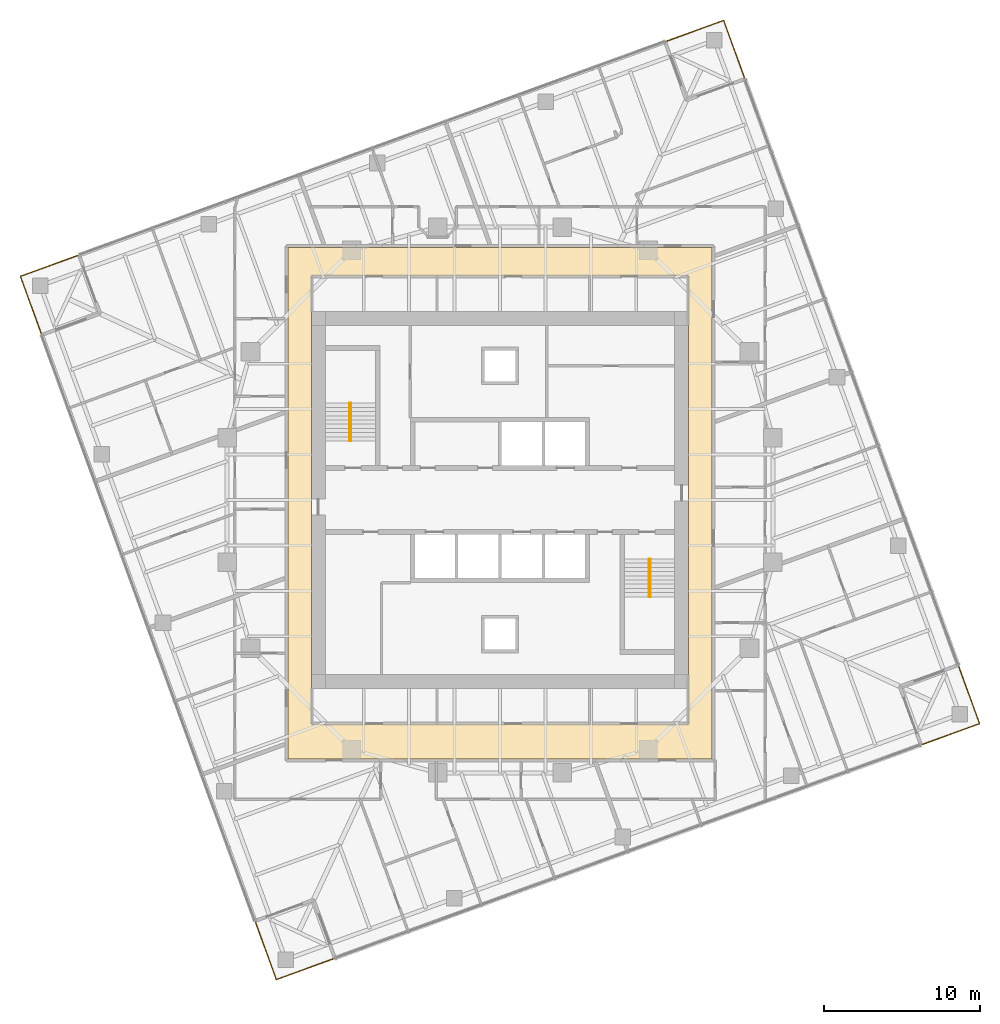
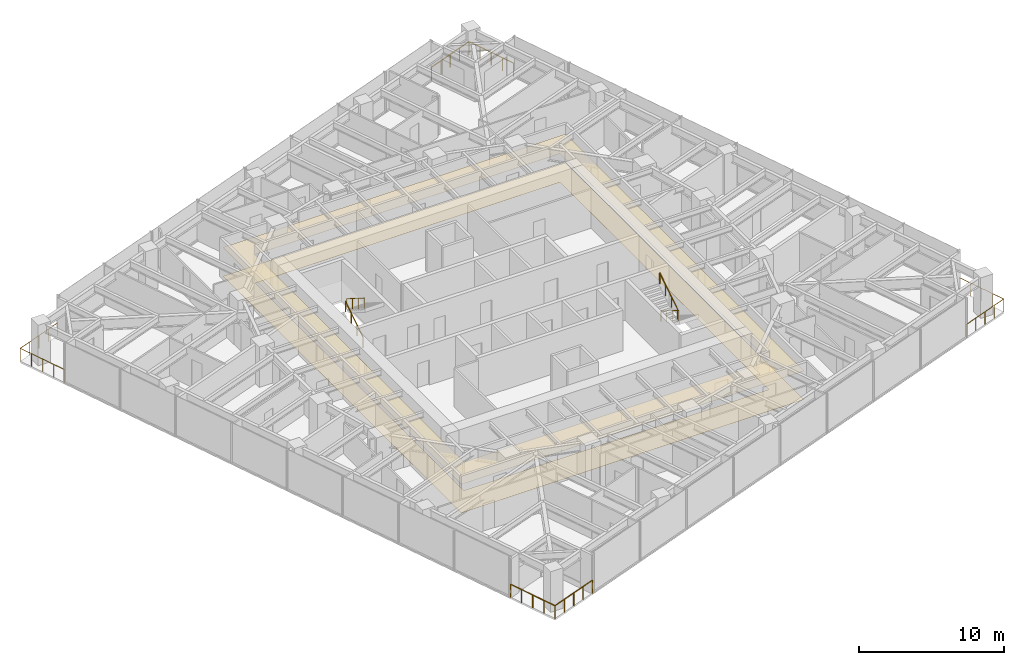
# One storey, part 13 of 13: 8 railings, 2 coverings, 2 elements without a shape of their own.
"""IFC4 building model written with IfcOpenShell, lengths in metres."""

from ifc_helpers import new_model, si_unit, direction, frame, origin, origin_2d, place, context, subcontext, project, spatial, polyline, circle, outline, extrude, material, layer, layer_set, type_object, element, aggregate, save


model = new_model("IFC4")

# Units and contexts
model_context = context("Model", 3, precision=1e-05, world=origin(), true_north=direction((0.0, 1.0)))
body_context = subcontext(model_context, "Body", "Model", "MODEL_VIEW")
ifc_project = project(units=[si_unit("LENGTHUNIT", "METRE"), si_unit("AREAUNIT", "SQUARE_METRE"), si_unit("VOLUMEUNIT", "CUBIC_METRE"), si_unit("PLANEANGLEUNIT", "RADIAN"), si_unit("MASSUNIT", "GRAM", prefix="KILO")], contexts=[model_context])

# Site, building, storey
site_placement = place(None, origin())
site = spatial("IfcSite", under=ifc_project, at=site_placement, CompositionType="ELEMENT")
building_placement = place(site_placement, origin())
building = spatial("IfcBuilding", under=site, at=building_placement, Name="Torsade Residences", CompositionType="ELEMENT")
storey_placement = place(building_placement, frame((0.0, 0.0, 147.199951171875)))
storey = spatial("IfcBuildingStorey", under=building, at=storey_placement, Name="L40", CompositionType="ELEMENT", Elevation=147.199951171875)

# Coverings
ifc_material_1 = material(Name="Nylon carpet tile on underlay", Category="textile")
ifc_layer_1 = layer(ifc_material_1, 0.010009765625)
ifc_layer_set_1 = layer_set([ifc_layer_1], Name="Nylon carpet tile on underlay")
covering_type_1 = type_object("IfcCoveringType", Name="CORRIDOR CARPET TILE 10", PredefinedType="FLOORING", material=ifc_layer_set_1)
covering_1_placement = place(storey_placement, origin())
element("IfcCovering", 1, at=covering_1_placement, inside=storey, type_object=covering_type_1, Name="Corridor carpet L40", PredefinedType="FLOORING", context=body_context, shape_type="SweptSolid", body=[
    extrude(outline(polyline([(26.39990234375, 46.199951171875), (26.39990234375, 13.39990234375), (53.60009765625, 13.39990234375), (53.60009765625, 46.199951171875), (26.39990234375, 46.199951171875)]), holes=[polyline([(52.10009765625, 44.35009765625), (27.89990234375, 44.35009765625), (27.89990234375, 15.64990234375), (52.10009765625, 15.64990234375), (52.10009765625, 44.35009765625)])]), origin(), (0.0, 0.0, 1.0), 0.010009765625),
])
ifc_material_2 = material(Name="Plasterboard on suspended steel grid", Category="steel")
ifc_layer_2 = layer(ifc_material_2, 0.012939453125)
ifc_layer_set_2 = layer_set([ifc_layer_2], Name="Plasterboard on suspended steel grid")
covering_type_2 = type_object("IfcCoveringType", Name="CORRIDOR SUSPENDED CEILING 13", PredefinedType="CEILING", material=ifc_layer_set_2)
covering_2_placement = place(storey_placement, frame((0.0, 0.0, 2.400146484375)))
element("IfcCovering", 2, at=covering_2_placement, inside=storey, type_object=covering_type_2, Name="Corridor ceiling L40", PredefinedType="CEILING", context=body_context, shape_type="SweptSolid", body=[
    extrude(outline(polyline([(26.39990234375, 46.199951171875), (26.39990234375, 13.39990234375), (53.60009765625, 13.39990234375), (53.60009765625, 46.199951171875), (26.39990234375, 46.199951171875)]), holes=[polyline([(52.10009765625, 44.35009765625), (27.89990234375, 44.35009765625), (27.89990234375, 15.64990234375), (52.10009765625, 15.64990234375), (52.10009765625, 44.35009765625)])]), origin(), (0.0, 0.0, 1.0), 0.012939453125),
])

# Stair, railings
ifc_material_3 = material(Name="Precast concrete 40 MPa", Category="concrete")
stair_type = type_object("IfcStairType", Name="HALF-TURN FIRE STAIR 1500x3400", PredefinedType="HALF_TURN_STAIR", material=ifc_material_3)
stair_1_placement = place(storey_placement, origin())
stair_1 = element("IfcStair", 3, at=stair_1_placement, inside=storey, type_object=stair_type, Name="Stair ST1 L40", PredefinedType="HALF_TURN_STAIR")
ifc_material_4 = material(Name="Steel handrail", Category="steel")
railing_type_1 = type_object("IfcRailingType", Name="STAIR HANDRAIL 900", PredefinedType="HANDRAIL", material=ifc_material_4)
railing_1_placement = place(storey_placement, frame((30.35009765625, 33.780029296875, 0.170166015625)))
railing_1 = element("IfcRailing", 4, at=railing_1_placement, type_object=railing_type_1, Name="Handrail ST1 flight 1 L40", PredefinedType="HANDRAIL", context=body_context, shape_type="SweptSolid", body=[
    extrude(circle(Radius=0.02392578125, at=origin_2d()), frame((0.0, 0.0, 0.8759765625), z_axis=(0.0, 0.846259816676, 0.532770422113), x_axis=(-1.0, 0.0, 0.0)), (0.0, 0.0, 1.0), 2.871337890625),
    extrude(circle(Radius=0.02099609375, at=origin_2d()), origin(), (0.0, 0.0, 1.0), 0.851806640625),
    extrude(circle(Radius=0.02099609375, at=origin_2d()), frame((0.0, 0.81005859375, 0.510009765625)), (0.0, 0.0, 1.0), 0.851806640625),
    extrude(circle(Radius=0.02099609375, at=origin_2d()), frame((0.0, 1.619873046875, 1.019775390625)), (0.0, 0.0, 1.0), 0.851806640625),
    extrude(circle(Radius=0.02099609375, at=origin_2d()), frame((0.0, 2.429931640625, 1.52978515625)), (0.0, 0.0, 1.0), 0.851806640625),
])
railing_2_placement = place(storey_placement, frame((30.449951171875, 36.2099609375, 1.8701171875)))
railing_2 = element("IfcRailing", 5, at=railing_2_placement, type_object=railing_type_1, Name="Handrail ST1 flight 2 L40", PredefinedType="HANDRAIL", context=body_context, shape_type="SweptSolid", body=[
    extrude(circle(Radius=0.02392578125, at=origin_2d()), frame((0.0, 0.0, 0.8759765625), z_axis=(0.0, -0.846221481393, 0.532831309544), x_axis=(1.0, 0.0, 0.0)), (0.0, 0.0, 1.0), 2.87158203125),
    extrude(circle(Radius=0.02099609375, at=origin_2d()), origin(), (0.0, 0.0, 1.0), 0.851806640625),
    extrude(circle(Radius=0.02099609375, at=origin_2d()), frame((0.0, -0.81005859375, 0.510009765625)), (0.0, 0.0, 1.0), 0.851806640625),
    extrude(circle(Radius=0.02099609375, at=origin_2d()), frame((0.0, -1.619873046875, 1.02001953125)), (0.0, 0.0, 1.0), 0.851806640625),
    extrude(circle(Radius=0.02099609375, at=origin_2d()), frame((0.0, -2.429931640625, 1.530029296875)), (0.0, 0.0, 1.0), 0.851806640625),
])
aggregate(stair_1, [railing_1, railing_2])

stair_2_placement = place(storey_placement, origin())
stair_2 = element("IfcStair", 6, at=stair_2_placement, inside=storey, type_object=stair_type, Name="Stair ST2 L40", PredefinedType="HALF_TURN_STAIR")
railing_3_placement = place(storey_placement, frame((49.64990234375, 26.219970703125, 0.170166015625)))
railing_3 = element("IfcRailing", 7, at=railing_3_placement, type_object=railing_type_1, Name="Handrail ST2 flight 1 L40", PredefinedType="HANDRAIL", context=body_context, shape_type="SweptSolid", body=[
    extrude(circle(Radius=0.02392578125, at=origin_2d()), frame((0.0, 0.0, 0.8759765625), z_axis=(0.0, -0.846259816676, 0.532770422113), x_axis=(1.0, 0.0, 0.0)), (0.0, 0.0, 1.0), 2.871337890625),
    extrude(circle(Radius=0.02099609375, at=origin_2d()), origin(), (0.0, 0.0, 1.0), 0.851806640625),
    extrude(circle(Radius=0.02099609375, at=origin_2d()), frame((0.0, -0.81005859375, 0.510009765625)), (0.0, 0.0, 1.0), 0.851806640625),
    extrude(circle(Radius=0.02099609375, at=origin_2d()), frame((0.0, -1.619873046875, 1.019775390625)), (0.0, 0.0, 1.0), 0.851806640625),
    extrude(circle(Radius=0.02099609375, at=origin_2d()), frame((0.0, -2.429931640625, 1.52978515625)), (0.0, 0.0, 1.0), 0.851806640625),
])
railing_4_placement = place(storey_placement, frame((49.550048828125, 23.7900390625, 1.8701171875)))
railing_4 = element("IfcRailing", 8, at=railing_4_placement, type_object=railing_type_1, Name="Handrail ST2 flight 2 L40", PredefinedType="HANDRAIL", context=body_context, shape_type="SweptSolid", body=[
    extrude(circle(Radius=0.02392578125, at=origin_2d()), frame((0.0, 0.0, 0.8759765625), z_axis=(0.0, 0.846221481393, 0.532831309544), x_axis=(-1.0, 0.0, 0.0)), (0.0, 0.0, 1.0), 2.87158203125),
    extrude(circle(Radius=0.02099609375, at=origin_2d()), origin(), (0.0, 0.0, 1.0), 0.851806640625),
    extrude(circle(Radius=0.02099609375, at=origin_2d()), frame((0.0, 0.81005859375, 0.510009765625)), (0.0, 0.0, 1.0), 0.851806640625),
    extrude(circle(Radius=0.02099609375, at=origin_2d()), frame((0.0, 1.619873046875, 1.02001953125)), (0.0, 0.0, 1.0), 0.851806640625),
    extrude(circle(Radius=0.02099609375, at=origin_2d()), frame((0.0, 2.429931640625, 1.530029296875)), (0.0, 0.0, 1.0), 0.851806640625),
])
aggregate(stair_2, [railing_3, railing_4])

# Railings
ifc_material_5 = material(Name="Laminated glass balustrade", Category="glass")
railing_type_2 = type_object("IfcRailingType", Name="TERRACE GLASS BALUSTRADE 1100", PredefinedType="BALUSTRADE", material=ifc_material_5)
railing_5_placement = place(storey_placement, frame((67.00244140625, 14.287841796875, 0.0)))
element("IfcRailing", 9, at=railing_5_placement, inside=storey, type_object=railing_type_2, Name="Terrace balustrade SE L40", PredefinedType="BALUSTRADE", context=body_context, shape_type="SweptSolid", body=[
    extrude(circle(Radius=0.02392578125, at=origin_2d()), frame((0.0, 0.0, 1.076171875), z_axis=(0.939698932726, 0.342002800914, 0.0), x_axis=(-0.342002800914, 0.939698932726, 0.0)), (0.0, 0.0, 1.0), 3.999755859375),
    extrude(circle(Radius=0.02392578125, at=origin_2d()), frame((3.758544921875, 1.367919921875, 1.076171875), z_axis=(-0.341983185197, 0.939706071622, 0.0), x_axis=(-0.939706071622, -0.341983185197, 0.0)), (0.0, 0.0, 1.0), 4.0),
    extrude(circle(Radius=0.02099609375, at=origin_2d()), origin(), (0.0, 0.0, 1.0), 1.052001953125),
    extrude(circle(Radius=0.02099609375, at=origin_2d()), frame((0.939697265625, 0.342041015625, 0.0)), (0.0, 0.0, 1.0), 1.052001953125),
    extrude(circle(Radius=0.02099609375, at=origin_2d()), frame((1.87939453125, 0.68408203125, 0.0)), (0.0, 0.0, 1.0), 1.052001953125),
    extrude(circle(Radius=0.02099609375, at=origin_2d()), frame((2.81884765625, 1.02587890625, 0.0)), (0.0, 0.0, 1.0), 1.052001953125),
    extrude(circle(Radius=0.02099609375, at=origin_2d()), frame((3.758544921875, 1.367919921875, 0.0)), (0.0, 0.0, 1.0), 1.052001953125),
    extrude(circle(Radius=0.02099609375, at=origin_2d()), frame((3.41650390625, 2.3076171875, 0.0)), (0.0, 0.0, 1.0), 1.052001953125),
    extrude(circle(Radius=0.02099609375, at=origin_2d()), frame((3.07470703125, 3.247314453125, 0.0)), (0.0, 0.0, 1.0), 1.052001953125),
    extrude(circle(Radius=0.02099609375, at=origin_2d()), frame((2.732666015625, 4.18701171875, 0.0)), (0.0, 0.0, 1.0), 1.052001953125),
    extrude(circle(Radius=0.02099609375, at=origin_2d()), frame((2.390625, 5.126708984375, 0.0)), (0.0, 0.0, 1.0), 1.052001953125),
])
railing_6_placement = place(storey_placement, frame((55.712158203125, 57.00244140625, 0.0)))
element("IfcRailing", 10, at=railing_6_placement, inside=storey, type_object=railing_type_2, Name="Terrace balustrade NE L40", PredefinedType="BALUSTRADE", context=body_context, shape_type="SweptSolid", body=[
    extrude(circle(Radius=0.02392578125, at=origin_2d()), frame((0.0, 0.0, 1.076171875), z_axis=(-0.342002800914, 0.939698932726, 0.0), x_axis=(-0.939698932726, -0.342002800914, 0.0)), (0.0, 0.0, 1.0), 3.999755859375),
    extrude(circle(Radius=0.02392578125, at=origin_2d()), frame((-1.367919921875, 3.758544921875, 1.076171875), z_axis=(-0.939706071622, -0.341983185197, 0.0), x_axis=(0.341983185197, -0.939706071622, 0.0)), (0.0, 0.0, 1.0), 4.0),
    extrude(circle(Radius=0.02099609375, at=origin_2d()), origin(), (0.0, 0.0, 1.0), 1.052001953125),
    extrude(circle(Radius=0.02099609375, at=origin_2d()), frame((-0.342041015625, 0.939697265625, 0.0)), (0.0, 0.0, 1.0), 1.052001953125),
    extrude(circle(Radius=0.02099609375, at=origin_2d()), frame((-0.68408203125, 1.87939453125, 0.0)), (0.0, 0.0, 1.0), 1.052001953125),
    extrude(circle(Radius=0.02099609375, at=origin_2d()), frame((-1.02587890625, 2.81884765625, 0.0)), (0.0, 0.0, 1.0), 1.052001953125),
    extrude(circle(Radius=0.02099609375, at=origin_2d()), frame((-1.367919921875, 3.758544921875, 0.0)), (0.0, 0.0, 1.0), 1.052001953125),
    extrude(circle(Radius=0.02099609375, at=origin_2d()), frame((-2.3076171875, 3.41650390625, 0.0)), (0.0, 0.0, 1.0), 1.052001953125),
    extrude(circle(Radius=0.02099609375, at=origin_2d()), frame((-3.247314453125, 3.07470703125, 0.0)), (0.0, 0.0, 1.0), 1.052001953125),
    extrude(circle(Radius=0.02099609375, at=origin_2d()), frame((-4.18701171875, 2.732666015625, 0.0)), (0.0, 0.0, 1.0), 1.052001953125),
    extrude(circle(Radius=0.02099609375, at=origin_2d()), frame((-5.126708984375, 2.390625, 0.0)), (0.0, 0.0, 1.0), 1.052001953125),
])
railing_7_placement = place(storey_placement, frame((12.99755859375, 45.712158203125, 0.0)))
element("IfcRailing", 11, at=railing_7_placement, inside=storey, type_object=railing_type_2, Name="Terrace balustrade NW L40", PredefinedType="BALUSTRADE", context=body_context, shape_type="SweptSolid", body=[
    extrude(circle(Radius=0.02392578125, at=origin_2d()), frame((0.0, 0.0, 1.076171875), z_axis=(-0.939698932726, -0.342002800914, 0.0), x_axis=(0.342002800914, -0.939698932726, 0.0)), (0.0, 0.0, 1.0), 3.999755859375),
    extrude(circle(Radius=0.02392578125, at=origin_2d()), frame((-3.758544921875, -1.367919921875, 1.076171875), z_axis=(0.341983185197, -0.939706071622, 0.0), x_axis=(0.939706071622, 0.341983185197, 0.0)), (0.0, 0.0, 1.0), 4.0),
    extrude(circle(Radius=0.02099609375, at=origin_2d()), origin(), (0.0, 0.0, 1.0), 1.052001953125),
    extrude(circle(Radius=0.02099609375, at=origin_2d()), frame((-0.939697265625, -0.342041015625, 0.0)), (0.0, 0.0, 1.0), 1.052001953125),
    extrude(circle(Radius=0.02099609375, at=origin_2d()), frame((-1.87939453125, -0.68408203125, 0.0)), (0.0, 0.0, 1.0), 1.052001953125),
    extrude(circle(Radius=0.02099609375, at=origin_2d()), frame((-2.81884765625, -1.02587890625, 0.0)), (0.0, 0.0, 1.0), 1.052001953125),
    extrude(circle(Radius=0.02099609375, at=origin_2d()), frame((-3.758544921875, -1.367919921875, 0.0)), (0.0, 0.0, 1.0), 1.052001953125),
    extrude(circle(Radius=0.02099609375, at=origin_2d()), frame((-3.41650390625, -2.3076171875, 0.0)), (0.0, 0.0, 1.0), 1.052001953125),
    extrude(circle(Radius=0.02099609375, at=origin_2d()), frame((-3.07470703125, -3.247314453125, 0.0)), (0.0, 0.0, 1.0), 1.052001953125),
    extrude(circle(Radius=0.02099609375, at=origin_2d()), frame((-2.732666015625, -4.18701171875, 0.0)), (0.0, 0.0, 1.0), 1.052001953125),
    extrude(circle(Radius=0.02099609375, at=origin_2d()), frame((-2.390625, -5.126708984375, 0.0)), (0.0, 0.0, 1.0), 1.052001953125),
])
railing_8_placement = place(storey_placement, frame((24.287841796875, 2.99755859375, 0.0)))
element("IfcRailing", 12, at=railing_8_placement, inside=storey, type_object=railing_type_2, Name="Terrace balustrade SW L40", PredefinedType="BALUSTRADE", context=body_context, shape_type="SweptSolid", body=[
    extrude(circle(Radius=0.02392578125, at=origin_2d()), frame((0.0, 0.0, 1.076171875), z_axis=(0.342002800914, -0.939698932726, 0.0), x_axis=(0.939698932726, 0.342002800914, 0.0)), (0.0, 0.0, 1.0), 3.999755859375),
    extrude(circle(Radius=0.02392578125, at=origin_2d()), frame((1.367919921875, -3.758544921875, 1.076171875), z_axis=(0.939706071622, 0.341983185197, 0.0), x_axis=(-0.341983185197, 0.939706071622, 0.0)), (0.0, 0.0, 1.0), 4.0),
    extrude(circle(Radius=0.02099609375, at=origin_2d()), origin(), (0.0, 0.0, 1.0), 1.052001953125),
    extrude(circle(Radius=0.02099609375, at=origin_2d()), frame((0.342041015625, -0.939697265625, 0.0)), (0.0, 0.0, 1.0), 1.052001953125),
    extrude(circle(Radius=0.02099609375, at=origin_2d()), frame((0.68408203125, -1.87939453125, 0.0)), (0.0, 0.0, 1.0), 1.052001953125),
    extrude(circle(Radius=0.02099609375, at=origin_2d()), frame((1.02587890625, -2.81884765625, 0.0)), (0.0, 0.0, 1.0), 1.052001953125),
    extrude(circle(Radius=0.02099609375, at=origin_2d()), frame((1.367919921875, -3.758544921875, 0.0)), (0.0, 0.0, 1.0), 1.052001953125),
    extrude(circle(Radius=0.02099609375, at=origin_2d()), frame((2.3076171875, -3.41650390625, 0.0)), (0.0, 0.0, 1.0), 1.052001953125),
    extrude(circle(Radius=0.02099609375, at=origin_2d()), frame((3.247314453125, -3.07470703125, 0.0)), (0.0, 0.0, 1.0), 1.052001953125),
    extrude(circle(Radius=0.02099609375, at=origin_2d()), frame((4.18701171875, -2.732666015625, 0.0)), (0.0, 0.0, 1.0), 1.052001953125),
    extrude(circle(Radius=0.02099609375, at=origin_2d()), frame((5.126708984375, -2.390625, 0.0)), (0.0, 0.0, 1.0), 1.052001953125),
])

save(model, "model.ifc")
